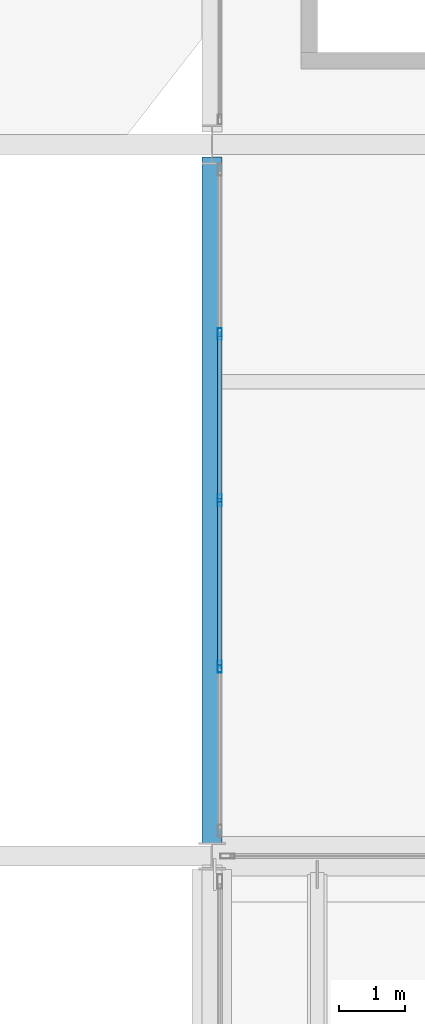
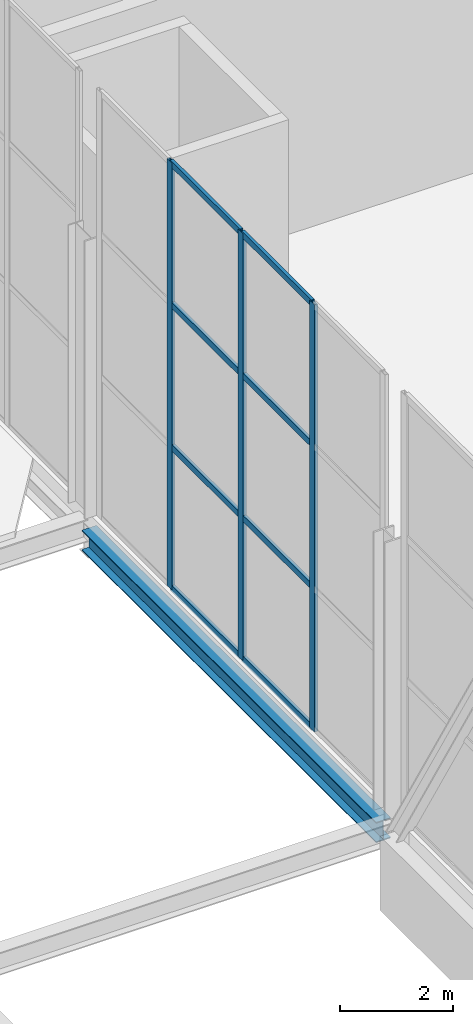
# One storey, part 81 of 191: 11 members, 1 beam, 1 element without a shape of its own.
"""IFC4 building model written with IfcOpenShell, lengths in metres."""

from ifc_helpers import new_model, si_unit, direction, frame, origin, origin_2d, place, context, subcontext, project, spatial, hollow_rectangle, i_section, extrude, material, layer, layer_set, material_profile, profile_set, type_object, element, aggregate, save


model = new_model("IFC4")

# Units and contexts
model_context = context("Model", 3, precision=1e-05, world=origin(), true_north=direction((0.0, 1.0)))
body_context = subcontext(model_context, "Body", "Model", "MODEL_VIEW")
ifc_project = project(units=[si_unit("LENGTHUNIT", "METRE"), si_unit("AREAUNIT", "SQUARE_METRE"), si_unit("VOLUMEUNIT", "CUBIC_METRE"), si_unit("PLANEANGLEUNIT", "RADIAN"), si_unit("MASSUNIT", "GRAM", prefix="KILO")], contexts=[model_context])

# Site, building, storey
site_placement = place(None, origin())
site = spatial("IfcSite", under=ifc_project, at=site_placement, CompositionType="ELEMENT")
building_placement = place(site_placement, origin())
building = spatial("IfcBuilding", under=site, at=building_placement, Name="Tamarisk Ironworks Central Station", CompositionType="ELEMENT")
storey_placement = place(building_placement, frame((0.0, 0.0, 6.60009765625)))
storey = spatial("IfcBuildingStorey", under=building, at=storey_placement, Name="L01", CompositionType="ELEMENT", Elevation=6.60009765625)

# Beam
ifc_material_1 = material(Name="Structural steel S355J2", Category="steel")
ifc_material_profile_1 = material_profile(ifc_material_1, i_section(OverallWidth=0.300048828125, OverallDepth=0.43994140625, WebThickness=0.011474609375, FlangeThickness=0.02099609375, at=origin_2d()), Name="HEA 450")
ifc_profile_set_1 = profile_set([ifc_material_profile_1], Name="Structural steel S355J2")
beam_type = type_object("IfcBeamType", Name="BM-G06", PredefinedType="BEAM", material=ifc_profile_set_1)
beam_placement = place(storey_placement, frame((54.0, 79.400390625, -0.52001953125), z_axis=(0.0, 1.0, 0.0), x_axis=(-1.0, 0.0, 0.0)))
element("IfcBeam", 1, at=beam_placement, inside=storey, type_object=beam_type, Name="L01 primary girder Y-0212", PredefinedType="BEAM", context=body_context, shape_type="SweptSolid", body=[
    extrude(i_section(OverallWidth=0.300048828125, OverallDepth=0.43994140625, WebThickness=0.011474609375, FlangeThickness=0.02099609375, at=origin_2d()), origin(), (0.0, 0.0, 1.0), 10.408203125),
])

# Curtain wall, members
ifc_material_2 = material(Name="Anodized aluminium alloy 6063-T6", Category="aluminium")
ifc_layer = layer(ifc_material_2, 0.179931640625)
ifc_layer_set = layer_set([ifc_layer], Name="Anodized aluminium alloy 6063-T6")
curtain_wall_type = type_object("IfcCurtainWallType", Name="CW-07", PredefinedType="USERDEFINED", material=ifc_layer_set)
curtain_wall_placement = place(storey_placement, origin())
curtain_wall = element("IfcCurtainWall", 2, at=curtain_wall_placement, inside=storey, type_object=curtain_wall_type, Name="Concourse W track-overlook curtain wall 06", ObjectType="GLAZED CURTAIN WALL", PredefinedType="USERDEFINED")
ifc_material_profile_2 = material_profile(ifc_material_2, hollow_rectangle(XDim=0.06494140625, YDim=0.179931640625, WallThickness=0.00390625, at=origin_2d()), Name="ALUM 180x65")
ifc_profile_set_2 = profile_set([ifc_material_profile_2], Name="Anodized aluminium alloy 6063-T6")
member_type_1 = type_object("IfcMemberType", Name="CWM-02", PredefinedType="MULLION", material=ifc_profile_set_2)
member_1_placement = place(storey_placement, frame((54.1201171875, 82.074951171875, 0.0), z_axis=(0.0, 0.0, 1.0), x_axis=(-1.0, 0.0, 0.0)))
member_1 = element("IfcMember", 3, at=member_1_placement, type_object=member_type_1, Name="CW07 mullion 2", PredefinedType="MULLION", context=body_context, shape_type="SweptSolid", body=[
    extrude(hollow_rectangle(XDim=0.06494140625, YDim=0.179931640625, WallThickness=0.00390625, at=origin_2d()), origin(), (0.0, 0.0, 1.0), 9.219970703125),
])
member_2_placement = place(storey_placement, frame((54.1201171875, 84.60009765625, 0.0), z_axis=(0.0, 0.0, 1.0), x_axis=(-1.0, 0.0, 0.0)))
member_2 = element("IfcMember", 4, at=member_2_placement, type_object=member_type_1, Name="CW07 mullion 3", PredefinedType="MULLION", context=body_context, shape_type="SweptSolid", body=[
    extrude(hollow_rectangle(XDim=0.06494140625, YDim=0.179931640625, WallThickness=0.00390625, at=origin_2d()), origin(), (0.0, 0.0, 1.0), 9.219970703125),
])
member_3_placement = place(storey_placement, frame((54.1201171875, 87.125, 0.0), z_axis=(0.0, 0.0, 1.0), x_axis=(-1.0, 0.0, 0.0)))
member_3 = element("IfcMember", 5, at=member_3_placement, type_object=member_type_1, Name="CW07 mullion 4", PredefinedType="MULLION", context=body_context, shape_type="SweptSolid", body=[
    extrude(hollow_rectangle(XDim=0.06494140625, YDim=0.179931640625, WallThickness=0.00390625, at=origin_2d()), origin(), (0.0, 0.0, 1.0), 9.219970703125),
])
ifc_material_profile_3 = material_profile(ifc_material_2, hollow_rectangle(XDim=0.06494140625, YDim=0.135009765625, WallThickness=0.00341796875, at=origin_2d()), Name="ALUM 135x65")
ifc_profile_set_3 = profile_set([ifc_material_profile_3], Name="Anodized aluminium alloy 6063-T6")
member_type_2 = type_object("IfcMemberType", Name="CWT-02", PredefinedType="USERDEFINED", material=ifc_profile_set_3)
member_4_placement = place(storey_placement, frame((54.1201171875, 82.103515625, 0.032470703125), z_axis=(0.0, 1.0, 0.0), x_axis=(-1.0, 0.0, 0.0)))
member_4 = element("IfcMember", 6, at=member_4_placement, type_object=member_type_2, Name="CW07 transom 2.1", ObjectType="TRANSOM", PredefinedType="USERDEFINED", context=body_context, shape_type="SweptSolid", body=[
    extrude(hollow_rectangle(XDim=0.06494140625, YDim=0.135009765625, WallThickness=0.00341796875, at=origin_2d()), origin(), (0.0, 0.0, 1.0), 2.468017578125),
])
member_5_placement = place(storey_placement, frame((54.1201171875, 82.103515625, 3.0732421875), z_axis=(0.0, 1.0, 0.0), x_axis=(-1.0, 0.0, 0.0)))
member_5 = element("IfcMember", 7, at=member_5_placement, type_object=member_type_2, Name="CW07 transom 2.2", ObjectType="TRANSOM", PredefinedType="USERDEFINED", context=body_context, shape_type="SweptSolid", body=[
    extrude(hollow_rectangle(XDim=0.06494140625, YDim=0.135009765625, WallThickness=0.00341796875, at=origin_2d()), origin(), (0.0, 0.0, 1.0), 2.468017578125),
])
member_6_placement = place(storey_placement, frame((54.1201171875, 82.103515625, 6.146484375), z_axis=(0.0, 1.0, 0.0), x_axis=(-1.0, 0.0, 0.0)))
member_6 = element("IfcMember", 8, at=member_6_placement, type_object=member_type_2, Name="CW07 transom 2.3", ObjectType="TRANSOM", PredefinedType="USERDEFINED", context=body_context, shape_type="SweptSolid", body=[
    extrude(hollow_rectangle(XDim=0.06494140625, YDim=0.135009765625, WallThickness=0.00341796875, at=origin_2d()), origin(), (0.0, 0.0, 1.0), 2.468017578125),
])
member_7_placement = place(storey_placement, frame((54.1201171875, 82.103515625, 9.1875), z_axis=(0.0, 1.0, 0.0), x_axis=(-1.0, 0.0, 0.0)))
member_7 = element("IfcMember", 9, at=member_7_placement, type_object=member_type_2, Name="CW07 transom 2.4", ObjectType="TRANSOM", PredefinedType="USERDEFINED", context=body_context, shape_type="SweptSolid", body=[
    extrude(hollow_rectangle(XDim=0.06494140625, YDim=0.135009765625, WallThickness=0.00341796875, at=origin_2d()), origin(), (0.0, 0.0, 1.0), 2.468017578125),
])
member_8_placement = place(storey_placement, frame((54.1201171875, 84.62841796875, 0.032470703125), z_axis=(0.0, 1.0, 0.0), x_axis=(-1.0, 0.0, 0.0)))
member_8 = element("IfcMember", 10, at=member_8_placement, type_object=member_type_2, Name="CW07 transom 3.1", ObjectType="TRANSOM", PredefinedType="USERDEFINED", context=body_context, shape_type="SweptSolid", body=[
    extrude(hollow_rectangle(XDim=0.06494140625, YDim=0.135009765625, WallThickness=0.00341796875, at=origin_2d()), origin(), (0.0, 0.0, 1.0), 2.468017578125),
])
member_9_placement = place(storey_placement, frame((54.1201171875, 84.62841796875, 3.0732421875), z_axis=(0.0, 1.0, 0.0), x_axis=(-1.0, 0.0, 0.0)))
member_9 = element("IfcMember", 11, at=member_9_placement, type_object=member_type_2, Name="CW07 transom 3.2", ObjectType="TRANSOM", PredefinedType="USERDEFINED", context=body_context, shape_type="SweptSolid", body=[
    extrude(hollow_rectangle(XDim=0.06494140625, YDim=0.135009765625, WallThickness=0.00341796875, at=origin_2d()), origin(), (0.0, 0.0, 1.0), 2.468017578125),
])
member_10_placement = place(storey_placement, frame((54.1201171875, 84.62841796875, 6.146484375), z_axis=(0.0, 1.0, 0.0), x_axis=(-1.0, 0.0, 0.0)))
member_10 = element("IfcMember", 12, at=member_10_placement, type_object=member_type_2, Name="CW07 transom 3.3", ObjectType="TRANSOM", PredefinedType="USERDEFINED", context=body_context, shape_type="SweptSolid", body=[
    extrude(hollow_rectangle(XDim=0.06494140625, YDim=0.135009765625, WallThickness=0.00341796875, at=origin_2d()), origin(), (0.0, 0.0, 1.0), 2.468017578125),
])
member_11_placement = place(storey_placement, frame((54.1201171875, 84.62841796875, 9.1875), z_axis=(0.0, 1.0, 0.0), x_axis=(-1.0, 0.0, 0.0)))
member_11 = element("IfcMember", 13, at=member_11_placement, type_object=member_type_2, Name="CW07 transom 3.4", ObjectType="TRANSOM", PredefinedType="USERDEFINED", context=body_context, shape_type="SweptSolid", body=[
    extrude(hollow_rectangle(XDim=0.06494140625, YDim=0.135009765625, WallThickness=0.00341796875, at=origin_2d()), origin(), (0.0, 0.0, 1.0), 2.468017578125),
])
aggregate(curtain_wall, [member_1, member_2, member_3, member_4, member_5, member_6, member_7, member_8, member_9, member_10, member_11])

save(model, "model.ifc")
